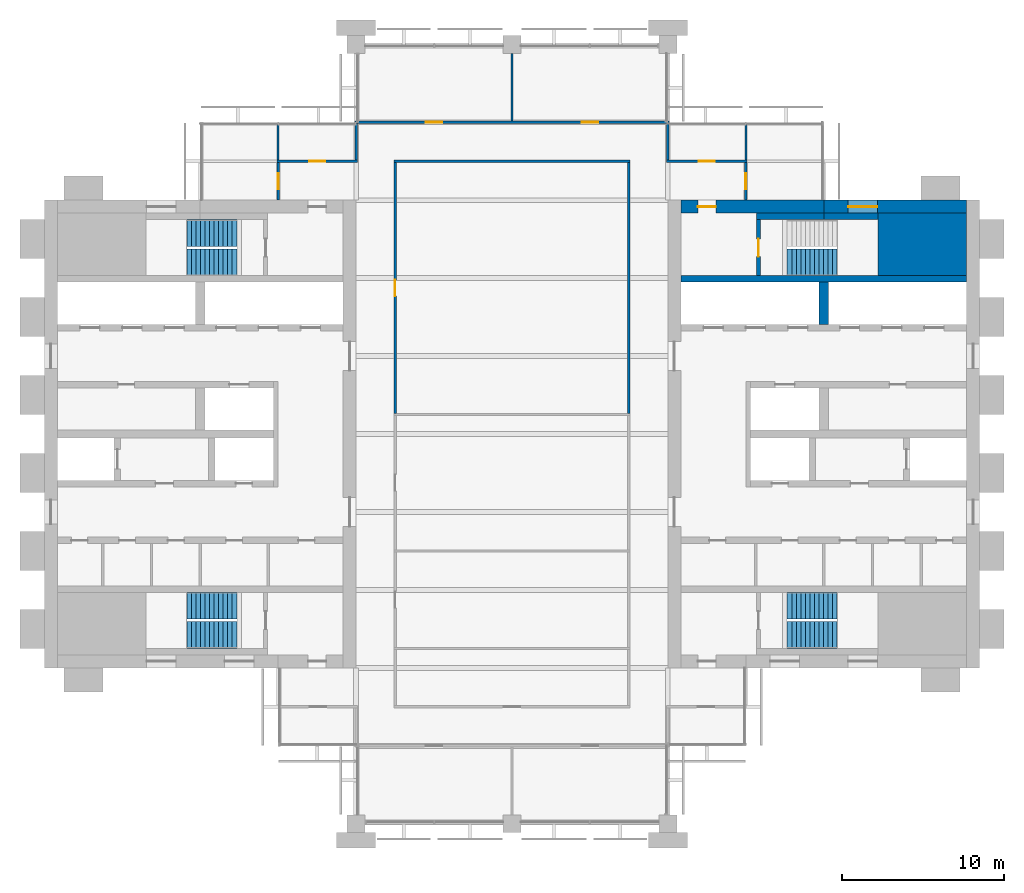
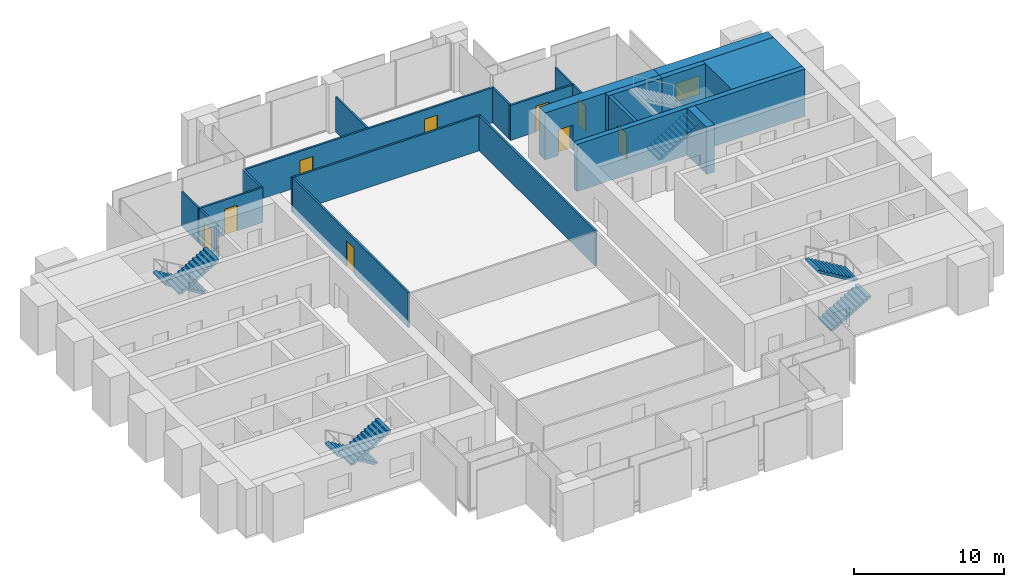
# One storey, part 11 of 13: 21 walls, 9 doors, 7 stair flights, 1 window, 10 openings, 4 elements without a shape of their own.
"""IFC4 building model written with IfcOpenShell, lengths in metres."""

from ifc_helpers import new_model, si_unit, direction, frame, frame_2d, origin, place, context, subcontext, project, spatial, polyline, rectangle, outline, extrude, material, layer, layer_set, type_object, element, fill, aggregate, save


model = new_model("IFC4")

# Units and contexts
model_context = context("Model", 3, precision=1e-05, world=origin(), true_north=direction((0.0, 1.0)))
body_context = subcontext(model_context, "Body", "Model", "MODEL_VIEW")
ifc_project = project(units=[si_unit("LENGTHUNIT", "METRE"), si_unit("AREAUNIT", "SQUARE_METRE"), si_unit("VOLUMEUNIT", "CUBIC_METRE"), si_unit("PLANEANGLEUNIT", "RADIAN"), si_unit("MASSUNIT", "GRAM", prefix="KILO")], contexts=[model_context])

# Site, building, storey
site_placement = place(None, origin())
site = spatial("IfcSite", under=ifc_project, at=site_placement, CompositionType="ELEMENT")
building_placement = place(site_placement, origin())
building = spatial("IfcBuilding", under=site, at=building_placement, Name="Baori Bourse Tower", CompositionType="ELEMENT")
storey_placement = place(building_placement, frame((0.0, 0.0, 253.199951171875)))
storey = spatial("IfcBuildingStorey", under=building, at=storey_placement, Name="L56", CompositionType="ELEMENT", Elevation=253.199951171875)

# Wall
ifc_material_1 = material(Name="Concrete f'c 50 MPa", Category="concrete")
wall_type_1 = type_object("IfcWallType", Name="Core corner block f'c 50", PredefinedType="SHEAR", material=ifc_material_1)
wall_1_placement = place(storey_placement, frame((51.35009765625, 35.675048828125, 0.0), z_axis=(0.0, 0.0, 1.0), x_axis=(1.0, 0.0, 0.0)))
element("IfcWall", 1, at=wall_1_placement, inside=storey, type_object=wall_type_1, Name="Core wall E24", PredefinedType="SHEAR", context=body_context, shape_type="SweptSolid", body=[
    extrude(rectangle(XDim=5.449951171875, YDim=3.85009765625, at=frame_2d((2.72509765625, 0.0))), origin(), (0.0, 0.0, 1.0), 3.840087890625),
])

# Wall, opening, window
ifc_material_2 = material(Name="Concrete f'c 50 MPa", Category="concrete")
ifc_layer_1 = layer(ifc_material_2, 0.800048828125)
ifc_layer_set_1 = layer_set([ifc_layer_1], Name="Core wall 800 f'c 50")
wall_type_2 = type_object("IfcWallType", Name="Core wall 800 f'c 50", PredefinedType="SHEAR", material=ifc_layer_set_1)
wall_2_placement = place(storey_placement, frame((48.0, 38.0, 0.0), z_axis=(0.0, 0.0, 1.0), x_axis=(1.0, 0.0, 0.0)))
wall_2 = element("IfcWall", 2, at=wall_2_placement, inside=storey, type_object=wall_type_2, Name="Core wall E28", PredefinedType="SHEAR", context=body_context, shape_type="SweptSolid", body=[
    extrude(rectangle(XDim=8.800048828125, YDim=0.800048828125, at=frame_2d((4.39990234375, 0.0))), origin(), (0.0, 0.0, 1.0), 3.840087890625),
])
opening_1_placement = place(wall_2_placement, frame((1.5, 0.0, 0.89990234375)))
opening_1 = element("IfcOpeningElement", 3, at=opening_1_placement, cuts=wall_2, Name="Opening L56-KW205", PredefinedType="OPENING", context=body_context, shape_type="SweptSolid", body=[
    extrude(rectangle(XDim=1.800048828125, YDim=1.5, at=frame_2d((0.89990234375, 0.75))), frame((0.0, 0.409912109375, 0.0), z_axis=(0.0, -1.0, 0.0), x_axis=(1.0, 0.0, 0.0)), (0.0, 0.0, 1.0), 0.820068359375),
])
ifc_material_3 = material(Name="Pale anodised aluminium", Category="aluminium")
window_type = type_object("IfcWindowType", Name="Stair window 1800 x 1500", PartitioningType="SINGLE_PANEL", PredefinedType="WINDOW", material=ifc_material_3)
window_placement = place(opening_1_placement, origin())
window = element("IfcWindow", 4, at=window_placement, inside=storey, type_object=window_type, Name="Stair window E L56 5", OverallHeight=1.5, OverallWidth=1.800048828125, PartitioningType="SINGLE_PANEL", PredefinedType="WINDOW", context=body_context, shape_type="SweptSolid", body=[
    extrude(rectangle(XDim=1.800048828125, YDim=1.5, at=frame_2d((0.89990234375, 0.75))), frame((0.0, 0.030029296875, 0.0), z_axis=(0.0, -1.0, 0.0), x_axis=(1.0, 0.0, 0.0)), (0.0, 0.0, 1.0), 0.06005859375),
])
fill(opening_1, window)

# Wall, opening, door
wall_3_placement = place(storey_placement, frame((39.199951171875, 38.0, 0.0), z_axis=(0.0, 0.0, 1.0), x_axis=(1.0, 0.0, 0.0)))
wall_3 = element("IfcWall", 5, at=wall_3_placement, inside=storey, type_object=wall_type_2, Name="Core wall E29", PredefinedType="SHEAR", context=body_context, shape_type="SweptSolid", body=[
    extrude(rectangle(XDim=8.800048828125, YDim=0.800048828125, at=frame_2d((4.39990234375, 0.0))), origin(), (0.0, 0.0, 1.0), 3.840087890625),
])
opening_2_placement = place(wall_3_placement, frame((1.050048828125, 0.0, 0.0)))
opening_2 = element("IfcOpeningElement", 6, at=opening_2_placement, cuts=wall_3, Name="Opening L56-D204", PredefinedType="OPENING", context=body_context, shape_type="SweptSolid", body=[
    extrude(rectangle(XDim=1.10009765625, YDim=2.10009765625, at=frame_2d((0.550048828125, 1.050048828125))), frame((0.0, 0.409912109375, 0.0), z_axis=(0.0, -1.0, 0.0), x_axis=(1.0, 0.0, 0.0)), (0.0, 0.0, 1.0), 0.820068359375),
])
ifc_material_4 = material(Name="Painted steel door", Category="steel")
door_type_1 = type_object("IfcDoorType", Name="Stair door 1100", OperationType="SINGLE_SWING_LEFT", PredefinedType="DOOR", material=ifc_material_4)
door_1_placement = place(opening_2_placement, origin())
door_1 = element("IfcDoor", 7, at=door_1_placement, inside=storey, type_object=door_type_1, Name="Stair vestibule door B E L56", OperationType="SINGLE_SWING_LEFT", OverallHeight=2.10009765625, OverallWidth=1.10009765625, PredefinedType="DOOR", context=body_context, shape_type="SweptSolid", body=[
    extrude(rectangle(XDim=1.10009765625, YDim=2.10009765625, at=frame_2d((0.550048828125, 1.050048828125))), frame((0.0, 0.02490234375, 0.0), z_axis=(0.0, -1.0, 0.0), x_axis=(1.0, 0.0, 0.0)), (0.0, 0.0, 1.0), 0.050048828125),
])
fill(opening_2, door_1)

ifc_material_5 = material(Name="Gypsum board partition")
ifc_layer_2 = layer(ifc_material_5, 0.14990234375)
ifc_layer_set_2 = layer_set([ifc_layer_2], Name="Corridor partition 150")
wall_type_3 = type_object("IfcWallType", Name="Corridor partition 150", PredefinedType="PARTITIONING", material=ifc_layer_set_2)
wall_4_placement = place(storey_placement, frame((14.324951171875, 40.800048828125, 0.0), z_axis=(0.0, 0.0, 1.0), x_axis=(1.0, 0.0, 0.0)))
wall_4 = element("IfcWall", 8, at=wall_4_placement, inside=storey, type_object=wall_type_3, Name="Partition", PredefinedType="PARTITIONING", context=body_context, shape_type="SweptSolid", body=[
    extrude(rectangle(XDim=4.949951171875, YDim=0.14990234375, at=frame_2d((2.47509765625, 0.0))), origin(), (0.0, 0.0, 1.0), 2.849365234375),
])
opening_3_placement = place(wall_4_placement, frame((1.97509765625, 0.0, 0.0)))
opening_3 = element("IfcOpeningElement", 9, at=opening_3_placement, cuts=wall_4, Name="Opening L56-D06", PredefinedType="OPENING", context=body_context, shape_type="SweptSolid", body=[
    extrude(rectangle(XDim=1.0, YDim=2.10009765625, at=frame_2d((0.5, 1.050048828125))), frame((0.0, 0.0849609375, 0.0), z_axis=(0.0, -1.0, 0.0), x_axis=(1.0, 0.0, 0.0)), (0.0, 0.0, 1.0), 0.169921875),
])
ifc_material_6 = material(Name="Timber door leaf", Category="wood")
door_type_2 = type_object("IfcDoorType", Name="Door 1000 x 2100", OperationType="SINGLE_SWING_LEFT", PredefinedType="DOOR", material=ifc_material_6)
door_2_placement = place(opening_3_placement, origin())
door_2 = element("IfcDoor", 10, at=door_2_placement, inside=storey, type_object=door_type_2, Name="Door", OperationType="SINGLE_SWING_LEFT", OverallHeight=2.10009765625, OverallWidth=1.0, PredefinedType="DOOR", context=body_context, shape_type="SweptSolid", body=[
    extrude(rectangle(XDim=1.0, YDim=2.10009765625, at=frame_2d((0.5, 1.050048828125))), frame((0.0, 0.02490234375, 0.0), z_axis=(0.0, -1.0, 0.0), x_axis=(1.0, 0.0, 0.0)), (0.0, 0.0, 1.0), 0.050048828125),
])
fill(opening_3, door_2)

# Wall
wall_5_placement = place(storey_placement, frame((21.52490234375, 40.800048828125, 0.0), z_axis=(0.0, 0.0, 1.0), x_axis=(1.0, 0.0, 0.0)))
element("IfcWall", 11, at=wall_5_placement, inside=storey, type_object=wall_type_3, Name="Partition", PredefinedType="PARTITIONING", context=body_context, shape_type="SweptSolid", body=[
    extrude(rectangle(XDim=14.550048828125, YDim=0.14990234375, at=frame_2d((7.27490234375, 0.0))), origin(), (0.0, 0.0, 1.0), 2.849365234375),
])

# Wall, opening, door
wall_6_placement = place(storey_placement, frame((38.324951171875, 40.800048828125, 0.0), z_axis=(0.0, 0.0, 1.0), x_axis=(1.0, 0.0, 0.0)))
wall_6 = element("IfcWall", 12, at=wall_6_placement, inside=storey, type_object=wall_type_3, Name="Partition", PredefinedType="PARTITIONING", context=body_context, shape_type="SweptSolid", body=[
    extrude(rectangle(XDim=4.949951171875, YDim=0.14990234375, at=frame_2d((2.47509765625, 0.0))), origin(), (0.0, 0.0, 1.0), 2.849365234375),
])
opening_4_placement = place(wall_6_placement, frame((1.97509765625, 0.0, 0.0)))
opening_4 = element("IfcOpeningElement", 13, at=opening_4_placement, cuts=wall_6, Name="Opening L56-D07", PredefinedType="OPENING", context=body_context, shape_type="SweptSolid", body=[
    extrude(rectangle(XDim=1.0, YDim=2.10009765625, at=frame_2d((0.5, 1.050048828125))), frame((0.0, 0.0849609375, 0.0), z_axis=(0.0, -1.0, 0.0), x_axis=(1.0, 0.0, 0.0)), (0.0, 0.0, 1.0), 0.169921875),
])
door_3_placement = place(opening_4_placement, origin())
door_3 = element("IfcDoor", 14, at=door_3_placement, inside=storey, type_object=door_type_2, Name="Door", OperationType="SINGLE_SWING_RIGHT", OverallHeight=2.10009765625, OverallWidth=1.0, PredefinedType="DOOR", context=body_context, shape_type="SweptSolid", body=[
    extrude(rectangle(XDim=1.0, YDim=2.10009765625, at=frame_2d((0.5, 1.050048828125))), frame((0.0, 0.02490234375, 0.0), z_axis=(0.0, -1.0, 0.0), x_axis=(1.0, 0.0, 0.0)), (0.0, 0.0, 1.0), 0.050048828125),
])
fill(opening_4, door_3)

# Wall, openings, doors
wall_7_placement = place(storey_placement, frame((19.125, 43.199951171875, 0.0), z_axis=(0.0, 0.0, 1.0), x_axis=(1.0, 0.0, 0.0)))
wall_7 = element("IfcWall", 15, at=wall_7_placement, inside=storey, type_object=wall_type_3, Name="Partition", PredefinedType="PARTITIONING", context=body_context, shape_type="SweptSolid", body=[
    extrude(rectangle(XDim=19.35009765625, YDim=0.14990234375, at=frame_2d((9.675048828125, 0.0))), origin(), (0.0, 0.0, 1.0), 2.849365234375),
])
opening_5_placement = place(wall_7_placement, frame((4.375, 0.0, 0.0)))
opening_5 = element("IfcOpeningElement", 16, at=opening_5_placement, cuts=wall_7, Name="Opening L56-D08", PredefinedType="OPENING", context=body_context, shape_type="SweptSolid", body=[
    extrude(rectangle(XDim=1.0, YDim=2.10009765625, at=frame_2d((0.5, 1.050048828125))), frame((0.0, 0.0849609375, 0.0), z_axis=(0.0, -1.0, 0.0), x_axis=(1.0, 0.0, 0.0)), (0.0, 0.0, 1.0), 0.169921875),
])
opening_6_placement = place(wall_7_placement, frame((13.97509765625, 0.0, 0.0)))
opening_6 = element("IfcOpeningElement", 17, at=opening_6_placement, cuts=wall_7, Name="Opening L56-D09", PredefinedType="OPENING", context=body_context, shape_type="SweptSolid", body=[
    extrude(rectangle(XDim=1.0, YDim=2.10009765625, at=frame_2d((0.5, 1.050048828125))), frame((0.0, 0.0849609375, 0.0), z_axis=(0.0, -1.0, 0.0), x_axis=(1.0, 0.0, 0.0)), (0.0, 0.0, 1.0), 0.169921875),
])
door_4_placement = place(opening_5_placement, origin())
door_4 = element("IfcDoor", 18, at=door_4_placement, inside=storey, type_object=door_type_2, Name="Door", OperationType="SINGLE_SWING_RIGHT", OverallHeight=2.10009765625, OverallWidth=1.0, PredefinedType="DOOR", context=body_context, shape_type="SweptSolid", body=[
    extrude(rectangle(XDim=1.0, YDim=2.10009765625, at=frame_2d((0.5, 1.050048828125))), frame((0.0, 0.02490234375, 0.0), z_axis=(0.0, -1.0, 0.0), x_axis=(1.0, 0.0, 0.0)), (0.0, 0.0, 1.0), 0.050048828125),
])
fill(opening_5, door_4)
door_5_placement = place(opening_6_placement, origin())
door_5 = element("IfcDoor", 19, at=door_5_placement, inside=storey, type_object=door_type_2, Name="Door", OperationType="SINGLE_SWING_LEFT", OverallHeight=2.10009765625, OverallWidth=1.0, PredefinedType="DOOR", context=body_context, shape_type="SweptSolid", body=[
    extrude(rectangle(XDim=1.0, YDim=2.10009765625, at=frame_2d((0.5, 1.050048828125))), frame((0.0, 0.02490234375, 0.0), z_axis=(0.0, -1.0, 0.0), x_axis=(1.0, 0.0, 0.0)), (0.0, 0.0, 1.0), 0.050048828125),
])
fill(opening_6, door_5)

# Wall, opening, door
wall_8_placement = place(storey_placement, frame((14.39990234375, 38.39990234375, 0.0), z_axis=(0.0, 0.0, 1.0), x_axis=(0.0, 1.0, 0.0)))
wall_8 = element("IfcWall", 20, at=wall_8_placement, inside=storey, type_object=wall_type_3, Name="Partition", PredefinedType="PARTITIONING", context=body_context, shape_type="SweptSolid", body=[
    extrude(rectangle(XDim=2.3251953125, YDim=0.14990234375, at=frame_2d((1.16259765625, 0.0))), origin(), (0.0, 0.0, 1.0), 2.849365234375),
])
opening_7_placement = place(wall_8_placement, frame((0.66259765625, 0.0, 0.0)))
opening_7 = element("IfcOpeningElement", 21, at=opening_7_placement, cuts=wall_8, Name="Opening L56-D10", PredefinedType="OPENING", context=body_context, shape_type="SweptSolid", body=[
    extrude(rectangle(XDim=1.0, YDim=2.10009765625, at=frame_2d((0.5, 1.050048828125))), frame((0.0, 0.0849609375, 0.0), z_axis=(0.0, -1.0, 0.0), x_axis=(1.0, 0.0, 0.0)), (0.0, 0.0, 1.0), 0.169921875),
])
door_6_placement = place(opening_7_placement, origin())
door_6 = element("IfcDoor", 22, at=door_6_placement, inside=storey, type_object=door_type_2, Name="Door", OperationType="SINGLE_SWING_RIGHT", OverallHeight=2.10009765625, OverallWidth=1.0, PredefinedType="DOOR", context=body_context, shape_type="SweptSolid", body=[
    extrude(rectangle(XDim=1.0, YDim=2.10009765625, at=frame_2d((0.5, 1.050048828125))), frame((0.0, 0.02490234375, 0.0), z_axis=(0.0, -1.0, 0.0), x_axis=(1.0, 0.0, 0.0)), (0.0, 0.0, 1.0), 0.050048828125),
])
fill(opening_7, door_6)

# Wall
wall_9_placement = place(storey_placement, frame((19.199951171875, 40.875, 0.0), z_axis=(0.0, 0.0, 1.0), x_axis=(0.0, 1.0, 0.0)))
element("IfcWall", 23, at=wall_9_placement, inside=storey, type_object=wall_type_3, Name="Partition", PredefinedType="PARTITIONING", context=body_context, shape_type="SweptSolid", body=[
    extrude(rectangle(XDim=2.25, YDim=0.14990234375, at=frame_2d((1.125, 0.0))), origin(), (0.0, 0.0, 1.0), 2.849365234375),
])

# Wall, opening, door
wall_10_placement = place(storey_placement, frame((21.60009765625, 25.262451171875, 0.0), z_axis=(0.0, 0.0, 1.0), x_axis=(0.0, 1.0, 0.0)))
wall_10 = element("IfcWall", 24, at=wall_10_placement, inside=storey, type_object=wall_type_3, Name="Partition", PredefinedType="PARTITIONING", context=body_context, shape_type="SweptSolid", body=[
    extrude(rectangle(XDim=15.462646484375, YDim=0.14990234375, at=frame_2d((7.7314453125, 0.0))), origin(), (0.0, 0.0, 1.0), 2.849365234375),
])
opening_8_placement = place(wall_10_placement, frame((7.231201171875, 0.0, 0.0)))
opening_8 = element("IfcOpeningElement", 25, at=opening_8_placement, cuts=wall_10, Name="Opening L56-D13", PredefinedType="OPENING", context=body_context, shape_type="SweptSolid", body=[
    extrude(rectangle(XDim=1.0, YDim=2.10009765625, at=frame_2d((0.5, 1.050048828125))), frame((0.0, 0.0849609375, 0.0), z_axis=(0.0, -1.0, 0.0), x_axis=(1.0, 0.0, 0.0)), (0.0, 0.0, 1.0), 0.169921875),
])
door_7_placement = place(opening_8_placement, origin())
door_7 = element("IfcDoor", 26, at=door_7_placement, inside=storey, type_object=door_type_2, Name="Door", OperationType="SINGLE_SWING_LEFT", OverallHeight=2.10009765625, OverallWidth=1.0, PredefinedType="DOOR", context=body_context, shape_type="SweptSolid", body=[
    extrude(rectangle(XDim=1.0, YDim=2.10009765625, at=frame_2d((0.5, 1.050048828125))), frame((0.0, 0.02490234375, 0.0), z_axis=(0.0, -1.0, 0.0), x_axis=(1.0, 0.0, 0.0)), (0.0, 0.0, 1.0), 0.050048828125),
])
fill(opening_8, door_7)

# Walls
wall_11_placement = place(storey_placement, frame((36.0, 25.262451171875, 0.0), z_axis=(0.0, 0.0, 1.0), x_axis=(0.0, 1.0, 0.0)))
element("IfcWall", 27, at=wall_11_placement, inside=storey, type_object=wall_type_3, Name="Partition", PredefinedType="PARTITIONING", context=body_context, shape_type="SweptSolid", body=[
    extrude(rectangle(XDim=15.462646484375, YDim=0.14990234375, at=frame_2d((7.7314453125, 0.0))), origin(), (0.0, 0.0, 1.0), 2.849365234375),
])
wall_12_placement = place(storey_placement, frame((38.39990234375, 40.875, 0.0), z_axis=(0.0, 0.0, 1.0), x_axis=(0.0, 1.0, 0.0)))
element("IfcWall", 28, at=wall_12_placement, inside=storey, type_object=wall_type_3, Name="Partition", PredefinedType="PARTITIONING", context=body_context, shape_type="SweptSolid", body=[
    extrude(rectangle(XDim=2.25, YDim=0.14990234375, at=frame_2d((1.125, 0.0))), origin(), (0.0, 0.0, 1.0), 2.849365234375),
])

# Wall, opening, door
wall_13_placement = place(storey_placement, frame((43.199951171875, 38.39990234375, 0.0), z_axis=(0.0, 0.0, 1.0), x_axis=(0.0, 1.0, 0.0)))
wall_13 = element("IfcWall", 29, at=wall_13_placement, inside=storey, type_object=wall_type_3, Name="Partition", PredefinedType="PARTITIONING", context=body_context, shape_type="SweptSolid", body=[
    extrude(rectangle(XDim=2.3251953125, YDim=0.14990234375, at=frame_2d((1.16259765625, 0.0))), origin(), (0.0, 0.0, 1.0), 2.849365234375),
])
opening_9_placement = place(wall_13_placement, frame((0.66259765625, 0.0, 0.0)))
opening_9 = element("IfcOpeningElement", 30, at=opening_9_placement, cuts=wall_13, Name="Opening L56-D14", PredefinedType="OPENING", context=body_context, shape_type="SweptSolid", body=[
    extrude(rectangle(XDim=1.0, YDim=2.10009765625, at=frame_2d((0.5, 1.050048828125))), frame((0.0, 0.0849609375, 0.0), z_axis=(0.0, -1.0, 0.0), x_axis=(1.0, 0.0, 0.0)), (0.0, 0.0, 1.0), 0.169921875),
])
door_8_placement = place(opening_9_placement, origin())
door_8 = element("IfcDoor", 31, at=door_8_placement, inside=storey, type_object=door_type_2, Name="Door", OperationType="SINGLE_SWING_LEFT", OverallHeight=2.10009765625, OverallWidth=1.0, PredefinedType="DOOR", context=body_context, shape_type="SweptSolid", body=[
    extrude(rectangle(XDim=1.0, YDim=2.10009765625, at=frame_2d((0.5, 1.050048828125))), frame((0.0, 0.02490234375, 0.0), z_axis=(0.0, -1.0, 0.0), x_axis=(1.0, 0.0, 0.0)), (0.0, 0.0, 1.0), 0.050048828125),
])
fill(opening_9, door_8)

# Walls
ifc_material_7 = material(Name="Gypsum board partition")
ifc_layer_3 = layer(ifc_material_7, 0.125)
ifc_layer_set_3 = layer_set([ifc_layer_3], Name="Partition 125")
wall_type_4 = type_object("IfcWallType", Name="Partition 125", PredefinedType="PARTITIONING", material=ifc_layer_set_3)
wall_14_placement = place(storey_placement, frame((14.39990234375, 40.875, 0.0), z_axis=(0.0, 0.0, 1.0), x_axis=(0.0, 1.0, 0.0)))
element("IfcWall", 32, at=wall_14_placement, inside=storey, type_object=wall_type_4, Name="Partition", PredefinedType="PARTITIONING", context=body_context, shape_type="SweptSolid", body=[
    extrude(rectangle(XDim=2.22509765625, YDim=0.125, at=frame_2d((1.112548828125, 0.0))), origin(), (0.0, 0.0, 1.0), 2.849365234375),
])
wall_15_placement = place(storey_placement, frame((28.800048828125, 43.27490234375, 0.0), z_axis=(0.0, 0.0, 1.0), x_axis=(0.0, 1.0, 0.0)))
element("IfcWall", 33, at=wall_15_placement, inside=storey, type_object=wall_type_4, Name="Partition", PredefinedType="PARTITIONING", context=body_context, shape_type="SweptSolid", body=[
    extrude(rectangle(XDim=4.175048828125, YDim=0.125, at=frame_2d((2.08740234375, 0.0))), origin(), (0.0, 0.0, 1.0), 2.849365234375),
])
wall_16_placement = place(storey_placement, frame((43.199951171875, 40.875, 0.0), z_axis=(0.0, 0.0, 1.0), x_axis=(0.0, 1.0, 0.0)))
element("IfcWall", 34, at=wall_16_placement, inside=storey, type_object=wall_type_4, Name="Partition", PredefinedType="PARTITIONING", context=body_context, shape_type="SweptSolid", body=[
    extrude(rectangle(XDim=2.22509765625, YDim=0.125, at=frame_2d((1.112548828125, 0.0))), origin(), (0.0, 0.0, 1.0), 2.849365234375),
])

# Wall, opening, door
ifc_material_8 = material(Name="Concrete f'c 50 MPa", Category="concrete")
ifc_layer_4 = layer(ifc_material_8, 0.25)
ifc_layer_set_4 = layer_set([ifc_layer_4], Name="Shaft wall 250 f'c 50")
wall_type_5 = type_object("IfcWallType", Name="Shaft wall 250 f'c 50", PredefinedType="SHEAR", material=ifc_layer_set_4)
wall_17_placement = place(storey_placement, frame((43.97509765625, 33.75, 0.0), z_axis=(0.0, 0.0, 1.0), x_axis=(0.0, 1.0, 0.0)))
wall_17 = element("IfcWall", 35, at=wall_17_placement, inside=storey, type_object=wall_type_5, Name="Core wall E25", PredefinedType="SHEAR", context=body_context, shape_type="SweptSolid", body=[
    extrude(rectangle(XDim=3.449951171875, YDim=0.25, at=frame_2d((1.72509765625, 0.0))), origin(), (0.0, 0.0, 1.0), 3.840087890625),
])
opening_10_placement = place(wall_17_placement, frame((1.175048828125, 0.0, 0.0)))
opening_10 = element("IfcOpeningElement", 36, at=opening_10_placement, cuts=wall_17, Name="Opening L56-D203", PredefinedType="OPENING", context=body_context, shape_type="SweptSolid", body=[
    extrude(rectangle(XDim=1.10009765625, YDim=2.10009765625, at=frame_2d((0.550048828125, 1.050048828125))), frame((0.0, 0.135009765625, 0.0), z_axis=(0.0, -1.0, 0.0), x_axis=(1.0, 0.0, 0.0)), (0.0, 0.0, 1.0), 0.27001953125),
])
door_9_placement = place(opening_10_placement, origin())
door_9 = element("IfcDoor", 37, at=door_9_placement, inside=storey, type_object=door_type_1, Name="Stair door B E L56", OperationType="SINGLE_SWING_LEFT", OverallHeight=2.10009765625, OverallWidth=1.10009765625, PredefinedType="DOOR", context=body_context, shape_type="SweptSolid", body=[
    extrude(rectangle(XDim=1.10009765625, YDim=2.10009765625, at=frame_2d((0.550048828125, 1.050048828125))), frame((0.0, 0.02490234375, 0.0), z_axis=(0.0, -1.0, 0.0), x_axis=(1.0, 0.0, 0.0)), (0.0, 0.0, 1.0), 0.050048828125),
])
fill(opening_10, door_9)

# Walls
ifc_material_9 = material(Name="Concrete f'c 50 MPa", Category="concrete")
ifc_layer_5 = layer(ifc_material_9, 0.39990234375)
ifc_layer_set_5 = layer_set([ifc_layer_5], Name="Shaft wall 400 f'c 50")
wall_type_6 = type_object("IfcWallType", Name="Shaft wall 400 f'c 50", PredefinedType="SHEAR", material=ifc_layer_set_5)
wall_18_placement = place(storey_placement, frame((39.199951171875, 33.550048828125, 0.0), z_axis=(0.0, 0.0, 1.0), x_axis=(1.0, 0.0, 0.0)))
element("IfcWall", 38, at=wall_18_placement, inside=storey, type_object=wall_type_6, Name="Core wall E23", PredefinedType="SHEAR", context=body_context, shape_type="SweptSolid", body=[
    extrude(rectangle(XDim=17.60009765625, YDim=0.39990234375, at=frame_2d((8.800048828125, 0.0))), origin(), (0.0, 0.0, 1.0), 3.840087890625),
])
wall_19_placement = place(storey_placement, frame((48.0, 37.39990234375, 0.0), z_axis=(0.0, 0.0, 1.0), x_axis=(1.0, 0.0, 0.0)))
element("IfcWall", 39, at=wall_19_placement, inside=storey, type_object=wall_type_6, Name="Core wall E26", PredefinedType="SHEAR", context=body_context, shape_type="SweptSolid", body=[
    extrude(rectangle(XDim=3.35009765625, YDim=0.39990234375, at=frame_2d((1.675048828125, 0.0))), origin(), (0.0, 0.0, 1.0), 3.840087890625),
])
wall_20_placement = place(storey_placement, frame((43.85009765625, 37.39990234375, 0.0), z_axis=(0.0, 0.0, 1.0), x_axis=(1.0, 0.0, 0.0)))
element("IfcWall", 40, at=wall_20_placement, inside=storey, type_object=wall_type_6, Name="Core wall E27", PredefinedType="SHEAR", context=body_context, shape_type="SweptSolid", body=[
    extrude(rectangle(XDim=4.14990234375, YDim=0.39990234375, at=frame_2d((2.074951171875, 0.0))), origin(), (0.0, 0.0, 1.0), 3.840087890625),
])
ifc_material_10 = material(Name="Concrete f'c 50 MPa", Category="concrete")
ifc_layer_6 = layer(ifc_material_10, 0.60009765625)
ifc_layer_set_6 = layer_set([ifc_layer_6], Name="Shaft wall 600 f'c 50")
wall_type_7 = type_object("IfcWallType", Name="Shaft wall 600 f'c 50", PredefinedType="SHEAR", material=ifc_layer_set_6)
wall_21_placement = place(storey_placement, frame((48.0, 30.75, 0.0), z_axis=(0.0, 0.0, 1.0), x_axis=(0.0, 1.0, 0.0)))
element("IfcWall", 41, at=wall_21_placement, inside=storey, type_object=wall_type_7, Name="Core wall E22", PredefinedType="SHEAR", context=body_context, shape_type="SweptSolid", body=[
    extrude(rectangle(XDim=2.60009765625, YDim=0.60009765625, at=frame_2d((1.300048828125, 0.0))), origin(), (0.0, 0.0, 1.0), 3.840087890625),
])

# Stair, stair flights
ifc_material_11 = material(Name="Concrete f'c 50 MPa", Category="concrete")
stair_type = type_object("IfcStairType", Name="Core stair", PredefinedType="HALF_TURN_STAIR", material=ifc_material_11)
stair_1_placement = place(storey_placement, origin())
stair_1 = element("IfcStair", 42, at=stair_1_placement, inside=storey, type_object=stair_type, Name="L56 Stair WA", PredefinedType="HALF_TURN_STAIR")
ifc_material_12 = material(Name="Concrete f'c 50 MPa", Category="concrete")
stair_flight_type = type_object("IfcStairFlightType", Name="Core stair flight", PredefinedType="STRAIGHT", material=ifc_material_12)
stair_flight_1_placement = place(storey_placement, frame((11.85009765625, 13.425048828125, 0.0), z_axis=(0.0, 0.0, 1.0), x_axis=(-1.0, 0.0, 0.0)))
stair_flight_1 = element("IfcStairFlight", 43, at=stair_flight_1_placement, type_object=stair_flight_type, Name="ST1 flight 1", NumberOfRisers=12, NumberOfTreads=11, PredefinedType="STRAIGHT", RiserHeight=0.166666667, TreadLength=0.28, context=body_context, shape_type="SweptSolid", body=[
    extrude(outline(polyline([(0.0, 0.0), (0.0, 0.166748046875), (0.280029296875, 0.166748046875), (0.280029296875, 0.333251953125), (0.56005859375, 0.333251953125), (0.56005859375, 0.5), (0.840087890625, 0.5), (0.840087890625, 0.666748046875), (1.1201171875, 0.666748046875), (1.1201171875, 0.833251953125), (1.39990234375, 0.833251953125), (1.39990234375, 1.0), (1.679931640625, 1.0), (1.679931640625, 1.166748046875), (1.9599609375, 1.166748046875), (1.9599609375, 1.333251953125), (2.239990234375, 1.333251953125), (2.239990234375, 1.5), (2.52001953125, 1.5), (2.52001953125, 1.666748046875), (2.800048828125, 1.666748046875), (2.800048828125, 1.833251953125), (3.080078125, 1.833251953125), (3.080078125, 2.0), (3.080078125, 1.658935546875), (0.29296875, 0.0), (0.0, 0.0)])), frame((0.0, 0.824951171875, 0.0), z_axis=(0.0, -1.0, 0.0), x_axis=(1.0, 0.0, 0.0)), (0.0, 0.0, 1.0), 1.64990234375),
])
stair_flight_2_placement = place(storey_placement, frame((8.77001953125, 11.625, 2.0), z_axis=(0.0, 0.0, 1.0), x_axis=(1.0, 0.0, 0.0)))
stair_flight_2 = element("IfcStairFlight", 44, at=stair_flight_2_placement, type_object=stair_flight_type, Name="ST1 flight 2", NumberOfRisers=12, NumberOfTreads=11, PredefinedType="STRAIGHT", RiserHeight=0.166666667, TreadLength=0.28, context=body_context, shape_type="SweptSolid", body=[
    extrude(outline(polyline([(0.0, 0.0), (0.0, 0.166748046875), (0.280029296875, 0.166748046875), (0.280029296875, 0.333251953125), (0.56005859375, 0.333251953125), (0.56005859375, 0.5), (0.840087890625, 0.5), (0.840087890625, 0.666748046875), (1.1201171875, 0.666748046875), (1.1201171875, 0.833251953125), (1.39990234375, 0.833251953125), (1.39990234375, 1.0), (1.679931640625, 1.0), (1.679931640625, 1.166748046875), (1.9599609375, 1.166748046875), (1.9599609375, 1.333251953125), (2.239990234375, 1.333251953125), (2.239990234375, 1.5), (2.52001953125, 1.5), (2.52001953125, 1.666748046875), (2.800048828125, 1.666748046875), (2.800048828125, 1.833251953125), (3.080078125, 1.833251953125), (3.080078125, 2.0), (3.080078125, 1.658935546875), (0.29296875, 0.0), (0.0, 0.0)])), frame((0.0, 0.824951171875, 0.0), z_axis=(0.0, -1.0, 0.0), x_axis=(1.0, 0.0, 0.0)), (0.0, 0.0, 1.0), 1.64990234375),
])
aggregate(stair_1, [stair_flight_1, stair_flight_2])

stair_2_placement = place(storey_placement, origin())
stair_2 = element("IfcStair", 45, at=stair_2_placement, inside=storey, type_object=stair_type, Name="L56 Stair WB", PredefinedType="HALF_TURN_STAIR")
stair_flight_3_placement = place(storey_placement, frame((11.85009765625, 36.375, 0.0), z_axis=(0.0, 0.0, 1.0), x_axis=(-1.0, 0.0, 0.0)))
stair_flight_3 = element("IfcStairFlight", 46, at=stair_flight_3_placement, type_object=stair_flight_type, Name="ST2 flight 1", NumberOfRisers=12, NumberOfTreads=11, PredefinedType="STRAIGHT", RiserHeight=0.166666667, TreadLength=0.28, context=body_context, shape_type="SweptSolid", body=[
    extrude(outline(polyline([(0.0, 0.0), (0.0, 0.166748046875), (0.280029296875, 0.166748046875), (0.280029296875, 0.333251953125), (0.56005859375, 0.333251953125), (0.56005859375, 0.5), (0.840087890625, 0.5), (0.840087890625, 0.666748046875), (1.1201171875, 0.666748046875), (1.1201171875, 0.833251953125), (1.39990234375, 0.833251953125), (1.39990234375, 1.0), (1.679931640625, 1.0), (1.679931640625, 1.166748046875), (1.9599609375, 1.166748046875), (1.9599609375, 1.333251953125), (2.239990234375, 1.333251953125), (2.239990234375, 1.5), (2.52001953125, 1.5), (2.52001953125, 1.666748046875), (2.800048828125, 1.666748046875), (2.800048828125, 1.833251953125), (3.080078125, 1.833251953125), (3.080078125, 2.0), (3.080078125, 1.658935546875), (0.29296875, 0.0), (0.0, 0.0)])), frame((0.0, 0.824951171875, 0.0), z_axis=(0.0, -1.0, 0.0), x_axis=(1.0, 0.0, 0.0)), (0.0, 0.0, 1.0), 1.64990234375),
])
stair_flight_4_placement = place(storey_placement, frame((8.77001953125, 34.574951171875, 2.0), z_axis=(0.0, 0.0, 1.0), x_axis=(1.0, 0.0, 0.0)))
stair_flight_4 = element("IfcStairFlight", 47, at=stair_flight_4_placement, type_object=stair_flight_type, Name="ST2 flight 2", NumberOfRisers=12, NumberOfTreads=11, PredefinedType="STRAIGHT", RiserHeight=0.166666667, TreadLength=0.28, context=body_context, shape_type="SweptSolid", body=[
    extrude(outline(polyline([(0.0, 0.0), (0.0, 0.166748046875), (0.280029296875, 0.166748046875), (0.280029296875, 0.333251953125), (0.56005859375, 0.333251953125), (0.56005859375, 0.5), (0.840087890625, 0.5), (0.840087890625, 0.666748046875), (1.1201171875, 0.666748046875), (1.1201171875, 0.833251953125), (1.39990234375, 0.833251953125), (1.39990234375, 1.0), (1.679931640625, 1.0), (1.679931640625, 1.166748046875), (1.9599609375, 1.166748046875), (1.9599609375, 1.333251953125), (2.239990234375, 1.333251953125), (2.239990234375, 1.5), (2.52001953125, 1.5), (2.52001953125, 1.666748046875), (2.800048828125, 1.666748046875), (2.800048828125, 1.833251953125), (3.080078125, 1.833251953125), (3.080078125, 2.0), (3.080078125, 1.658935546875), (0.29296875, 0.0), (0.0, 0.0)])), frame((0.0, 0.824951171875, 0.0), z_axis=(0.0, -1.0, 0.0), x_axis=(1.0, 0.0, 0.0)), (0.0, 0.0, 1.0), 1.64990234375),
])
aggregate(stair_2, [stair_flight_3, stair_flight_4])

stair_3_placement = place(storey_placement, origin())
stair_3 = element("IfcStair", 48, at=stair_3_placement, inside=storey, type_object=stair_type, Name="L56 Stair EA", PredefinedType="HALF_TURN_STAIR")
stair_flight_5_placement = place(storey_placement, frame((45.75, 11.625, 0.0), z_axis=(0.0, 0.0, 1.0), x_axis=(1.0, 0.0, 0.0)))
stair_flight_5 = element("IfcStairFlight", 49, at=stair_flight_5_placement, type_object=stair_flight_type, Name="ST3 flight 1", NumberOfRisers=12, NumberOfTreads=11, PredefinedType="STRAIGHT", RiserHeight=0.166666667, TreadLength=0.28, context=body_context, shape_type="SweptSolid", body=[
    extrude(outline(polyline([(0.0, 0.0), (0.0, 0.166748046875), (0.280029296875, 0.166748046875), (0.280029296875, 0.333251953125), (0.56005859375, 0.333251953125), (0.56005859375, 0.5), (0.840087890625, 0.5), (0.840087890625, 0.666748046875), (1.1201171875, 0.666748046875), (1.1201171875, 0.833251953125), (1.39990234375, 0.833251953125), (1.39990234375, 1.0), (1.679931640625, 1.0), (1.679931640625, 1.166748046875), (1.9599609375, 1.166748046875), (1.9599609375, 1.333251953125), (2.239990234375, 1.333251953125), (2.239990234375, 1.5), (2.52001953125, 1.5), (2.52001953125, 1.666748046875), (2.800048828125, 1.666748046875), (2.800048828125, 1.833251953125), (3.080078125, 1.833251953125), (3.080078125, 2.0), (3.080078125, 1.658935546875), (0.29296875, 0.0), (0.0, 0.0)])), frame((0.0, 0.824951171875, 0.0), z_axis=(0.0, -1.0, 0.0), x_axis=(1.0, 0.0, 0.0)), (0.0, 0.0, 1.0), 1.64990234375),
])
stair_flight_6_placement = place(storey_placement, frame((48.830078125, 13.425048828125, 2.0), z_axis=(0.0, 0.0, 1.0), x_axis=(-1.0, 0.0, 0.0)))
stair_flight_6 = element("IfcStairFlight", 50, at=stair_flight_6_placement, type_object=stair_flight_type, Name="ST3 flight 2", NumberOfRisers=12, NumberOfTreads=11, PredefinedType="STRAIGHT", RiserHeight=0.166666667, TreadLength=0.28, context=body_context, shape_type="SweptSolid", body=[
    extrude(outline(polyline([(0.0, 0.0), (0.0, 0.166748046875), (0.280029296875, 0.166748046875), (0.280029296875, 0.333251953125), (0.56005859375, 0.333251953125), (0.56005859375, 0.5), (0.840087890625, 0.5), (0.840087890625, 0.666748046875), (1.1201171875, 0.666748046875), (1.1201171875, 0.833251953125), (1.39990234375, 0.833251953125), (1.39990234375, 1.0), (1.679931640625, 1.0), (1.679931640625, 1.166748046875), (1.9599609375, 1.166748046875), (1.9599609375, 1.333251953125), (2.239990234375, 1.333251953125), (2.239990234375, 1.5), (2.52001953125, 1.5), (2.52001953125, 1.666748046875), (2.800048828125, 1.666748046875), (2.800048828125, 1.833251953125), (3.080078125, 1.833251953125), (3.080078125, 2.0), (3.080078125, 1.658935546875), (0.29296875, 0.0), (0.0, 0.0)])), frame((0.0, 0.824951171875, 0.0), z_axis=(0.0, -1.0, 0.0), x_axis=(1.0, 0.0, 0.0)), (0.0, 0.0, 1.0), 1.64990234375),
])
aggregate(stair_3, [stair_flight_5, stair_flight_6])

# Stair, stair flight
stair_4_placement = place(storey_placement, origin())
stair_4 = element("IfcStair", 51, at=stair_4_placement, inside=storey, type_object=stair_type, Name="L56 Stair EB", PredefinedType="HALF_TURN_STAIR")
stair_flight_7_placement = place(storey_placement, frame((45.75, 34.574951171875, 0.0), z_axis=(0.0, 0.0, 1.0), x_axis=(1.0, 0.0, 0.0)))
stair_flight_7 = element("IfcStairFlight", 52, at=stair_flight_7_placement, type_object=stair_flight_type, Name="ST4 flight 1", NumberOfRisers=12, NumberOfTreads=11, PredefinedType="STRAIGHT", RiserHeight=0.166666667, TreadLength=0.28, context=body_context, shape_type="SweptSolid", body=[
    extrude(outline(polyline([(0.0, 0.0), (0.0, 0.166748046875), (0.280029296875, 0.166748046875), (0.280029296875, 0.333251953125), (0.56005859375, 0.333251953125), (0.56005859375, 0.5), (0.840087890625, 0.5), (0.840087890625, 0.666748046875), (1.1201171875, 0.666748046875), (1.1201171875, 0.833251953125), (1.39990234375, 0.833251953125), (1.39990234375, 1.0), (1.679931640625, 1.0), (1.679931640625, 1.166748046875), (1.9599609375, 1.166748046875), (1.9599609375, 1.333251953125), (2.239990234375, 1.333251953125), (2.239990234375, 1.5), (2.52001953125, 1.5), (2.52001953125, 1.666748046875), (2.800048828125, 1.666748046875), (2.800048828125, 1.833251953125), (3.080078125, 1.833251953125), (3.080078125, 2.0), (3.080078125, 1.658935546875), (0.29296875, 0.0), (0.0, 0.0)])), frame((0.0, 0.824951171875, 0.0), z_axis=(0.0, -1.0, 0.0), x_axis=(1.0, 0.0, 0.0)), (0.0, 0.0, 1.0), 1.64990234375),
])
aggregate(stair_4, [stair_flight_7])

save(model, "model.ifc")
